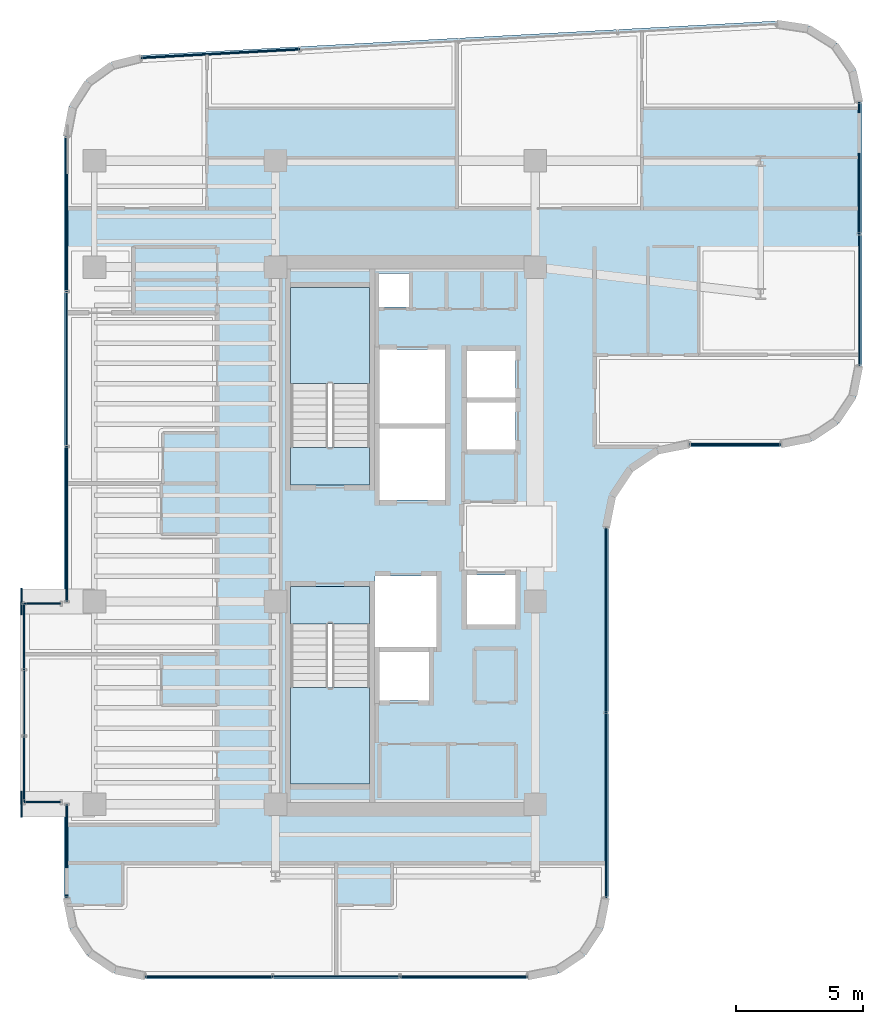
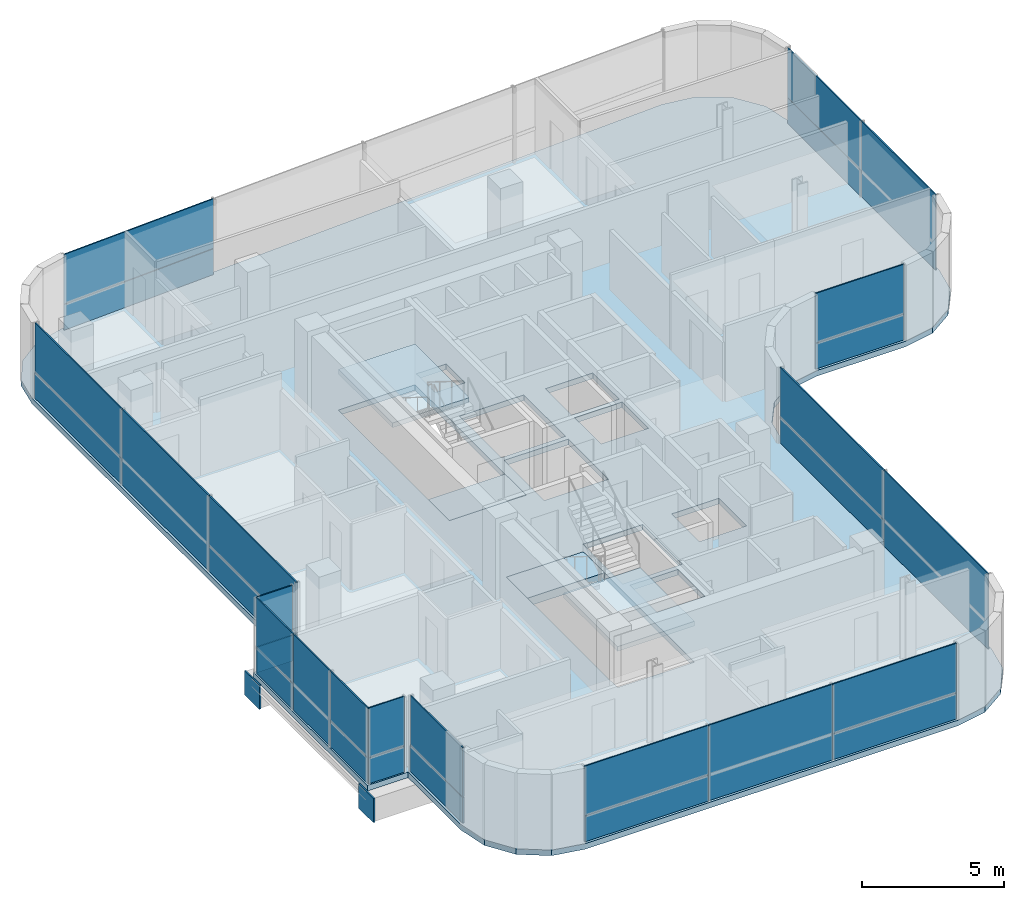
# One storey, part 17 of 24: 33 plates, 5 slabs, 12 elements without a shape of their own.
"""IFC4 building model written with IfcOpenShell, lengths in metres."""

import ifcopenshell
import ifcopenshell.guid

model = None  # the IFC model being written
_history = None  # IfcOwnerHistory: only IFC2X3 demands one
_inside = {}  # id of a spatial element -> (the spatial element, [elements in it])
_under = {}  # id of a project, library or spatial element -> (it, [spatial elements below it])
_declared = {}  # id of a project -> (the project, [libraries it declares])
_typed = {}  # id of a type object -> (the type object, [elements of that type])
_made_of = {}  # id of a material, layer set ... -> (it, [elements and type objects made of it])


def new_model(schema):
    """Start an empty IFC model of exactly this schema.

    Asked for "IFC4X3", IfcOpenShell would pick the latest addendum, in which some entities
    have other attributes; the version numbers below select the first issue.
    IFC2X3 requires an IfcOwnerHistory on every rooted entity: one is made here for all.
    """
    global model, _history
    if schema == "IFC4X3":
        model = ifcopenshell.file(schema_version=(4, 3, 0, 0))
    else:
        model = ifcopenshell.file(schema=schema)
    _inside.clear()
    _under.clear()
    _declared.clear()
    _typed.clear()
    _made_of.clear()
    _history = None
    if model.schema == "IFC2X3":
        org = make("IfcOrganization", Name="unknown")
        user = make(
            "IfcPersonAndOrganization",
            ThePerson=make("IfcPerson", FamilyName="unknown"),
            TheOrganization=org,
        )
        app = make(
            "IfcApplication",
            ApplicationDeveloper=org,
            Version="unknown",
            ApplicationFullName="unknown",
            ApplicationIdentifier="unknown",
        )
        _history = make(
            "IfcOwnerHistory",
            OwningUser=user,
            OwningApplication=app,
            ChangeAction="ADDED",
            CreationDate=0,
        )
    return model


def make(cls, **values):
    """One entity of the class cls with the attributes given. An attribute that is None is left unset."""
    return model.create_entity(
        cls, **{name: value for name, value in values.items() if value is not None}
    )


def rooted(cls, **values):
    """An entity with a GlobalId (a new one), such as an element, a storey or a relation."""
    return make(cls, GlobalId=ifcopenshell.guid.new(), OwnerHistory=_history, **values)


def si_unit(unit_type, name, prefix=None):
    """IfcSIUnit, for example si_unit("LENGTHUNIT", "METRE", prefix="MILLI")."""
    return make("IfcSIUnit", UnitType=unit_type, Prefix=prefix, Name=name)


def assignment(units):
    """IfcUnitAssignment: the units of a project."""
    return None if units is None else make("IfcUnitAssignment", Units=units)


def point(xyz):
    """IfcCartesianPoint."""
    return None if xyz is None else make("IfcCartesianPoint", Coordinates=xyz)


def direction(xyz):
    """IfcDirection."""
    return None if xyz is None else make("IfcDirection", DirectionRatios=xyz)


def frame(location, z_axis=None, x_axis=None):
    """IfcAxis2Placement3D, a coordinate frame: its origin and axes. An axis left out is left unset."""
    return make(
        "IfcAxis2Placement3D",
        Location=point(location),
        Axis=direction(z_axis),
        RefDirection=direction(x_axis),
    )


def frame_2d(location, x_axis=None):
    """IfcAxis2Placement2D, a coordinate frame in the plane: its origin and x axis."""
    return make(
        "IfcAxis2Placement2D", Location=point(location), RefDirection=direction(x_axis)
    )


def origin():
    """The frame at (0, 0, 0) with its axes left unset."""
    return frame((0.0, 0.0, 0.0))


def origin_2d():
    """The frame at (0, 0) in the plane with its x axis left unset."""
    return frame_2d((0.0, 0.0))


def place(relative_to, where):
    """IfcLocalPlacement: puts the frame where relative to a parent placement (None: the world)."""
    return make(
        "IfcLocalPlacement", PlacementRelTo=relative_to, RelativePlacement=where
    )


def context(
    kind, dimensions, precision=None, world=None, true_north=None, identifier=None
):
    """IfcGeometricRepresentationContext, for example the 3D "Model" context."""
    return make(
        "IfcGeometricRepresentationContext",
        ContextIdentifier=identifier,
        ContextType=kind,
        CoordinateSpaceDimension=dimensions,
        Precision=precision,
        WorldCoordinateSystem=world,
        TrueNorth=true_north,
    )


def subcontext(parent, identifier, kind, view, scale=None):
    """IfcGeometricRepresentationSubContext, for example "Body" below "Model"."""
    return make(
        "IfcGeometricRepresentationSubContext",
        ContextIdentifier=identifier,
        ContextType=kind,
        ParentContext=parent,
        TargetScale=scale,
        TargetView=view,
    )


def project(units=None, contexts=None):
    """IfcProject with its units and contexts."""
    return rooted(
        "IfcProject",
        Name="project",
        RepresentationContexts=contexts,
        UnitsInContext=assignment(units),
    )


def spatial(cls, under=None, at=None, **own):
    """A site, building, storey or space (cls), placed at a placement, below another one or the project."""
    s = rooted(cls, ObjectPlacement=at, **own)
    if under is not None:
        _under.setdefault(under.id(), (under, []))[1].append(s)
    return s


def polyline(points):
    """IfcPolyline through the points."""
    return make("IfcPolyline", Points=[point(p) for p in points])


def profile(cls, at=None, kind="AREA", **sizes):
    """A parametric profile (cls). Its sizes go by their IFC names, for example OverallWidth=200.0."""
    return make(cls, ProfileType=kind, Position=at, **sizes)


def rectangle(**sizes):
    """IfcRectangleProfileDef."""
    return profile("IfcRectangleProfileDef", **sizes)


def outline(outer, holes=None, kind="AREA"):
    """IfcArbitraryClosedProfileDef: a profile drawn as a closed curve; with holes, ...WithVoids."""
    if holes is None:
        return make("IfcArbitraryClosedProfileDef", ProfileType=kind, OuterCurve=outer)
    return make(
        "IfcArbitraryProfileDefWithVoids",
        ProfileType=kind,
        OuterCurve=outer,
        InnerCurves=holes,
    )


def extrude(swept, where, along, depth):
    """IfcExtrudedAreaSolid: the profile swept, set in the frame where, extruded along a direction by depth."""
    return make(
        "IfcExtrudedAreaSolid",
        SweptArea=swept,
        Position=where,
        ExtrudedDirection=direction(along),
        Depth=depth,
    )


def shape(context_of_items, identifier, shape_type, items):
    """IfcShapeRepresentation: the items that make up one representation, for example the "Body"."""
    return make(
        "IfcShapeRepresentation",
        ContextOfItems=context_of_items,
        RepresentationIdentifier=identifier,
        RepresentationType=shape_type,
        Items=items,
    )


def source(mapping_origin, context_of_items, identifier, shape_type, items):
    """IfcRepresentationMap: a shape defined once, which mapped items show again and again."""
    return make(
        "IfcRepresentationMap",
        MappingOrigin=mapping_origin,
        MappedRepresentation=shape(context_of_items, identifier, shape_type, items),
    )


def transform(
    local_origin,
    x_axis=None,
    y_axis=None,
    z_axis=None,
    scale=None,
    scale2=None,
    scale3=None,
    uniform=True,
):
    """IfcCartesianTransformationOperator3D, or its non-uniform kind. x_axis, y_axis, z_axis: its Axis1, 2, 3."""
    if uniform:
        return make(
            "IfcCartesianTransformationOperator3D",
            Axis1=direction(x_axis),
            Axis2=direction(y_axis),
            LocalOrigin=point(local_origin),
            Scale=scale,
            Axis3=direction(z_axis),
        )
    return make(
        "IfcCartesianTransformationOperator3DnonUniform",
        Axis1=direction(x_axis),
        Axis2=direction(y_axis),
        LocalOrigin=point(local_origin),
        Scale=scale,
        Axis3=direction(z_axis),
        Scale2=scale2,
        Scale3=scale3,
    )


def mapped(mapping_source, mapping_target):
    """IfcMappedItem: shows the shape of a source again, moved by a transform."""
    return make(
        "IfcMappedItem", MappingSource=mapping_source, MappingTarget=mapping_target
    )


def material(Name=None, Category=None):
    """IfcMaterial."""
    return make("IfcMaterial", Name=Name, Category=Category)


def layer(
    of_material, thickness, ventilated=None, Name=None, Category=None, Priority=None
):
    """IfcMaterialLayer: one layer of a wall or slab, of a material (None: an air gap)."""
    return make(
        "IfcMaterialLayer",
        Material=of_material,
        LayerThickness=thickness,
        IsVentilated=ventilated,
        Name=Name,
        Category=Category,
        Priority=Priority,
    )


def layer_set(layers, Name=None):
    """IfcMaterialLayerSet."""
    return make("IfcMaterialLayerSet", MaterialLayers=layers, LayerSetName=Name)


def made_of(thing, what):
    """Note that an element or type object is made of a material, layer set ...; save() writes the relation."""
    if what is not None:
        _made_of.setdefault(what.id(), (what, []))[1].append(thing)
    return thing


def type_object(cls, material=None, **own):
    """A type object (cls), such as IfcWallType, which elements share."""
    return made_of(rooted(cls, **own), material)


def element(
    cls,
    number,
    at=None,
    inside=None,
    cuts=None,
    type_object=None,
    material=None,
    context=None,
    identifier="Body",
    shape_type=None,
    held_by="IfcProductDefinitionShape",
    body=None,
    shapes=None,
    **own,
):
    """One element of the class cls, such as IfcWall. Its Tag is "e" and its number.

    at: its placement. inside: the storey or other place that contains it. cuts: it is an
    opening in that element (IfcRelVoidsElement). A single representation is given by context,
    identifier, shape_type and body (its items); several are given by shapes. held_by: the class
    of the entity that holds the representations. save() writes the other relations.
    """
    e = rooted(cls, Tag="e%d" % number, ObjectPlacement=at, **own)
    if body is not None:
        shapes = [shape(context, identifier, shape_type, body)]
    if shapes is not None:
        e.Representation = make(held_by, Representations=shapes)
    if inside is not None:
        _inside.setdefault(inside.id(), (inside, []))[1].append(e)
    if cuts is not None:
        rooted(
            "IfcRelVoidsElement", RelatingBuildingElement=cuts, RelatedOpeningElement=e
        )
    if type_object is not None:
        _typed.setdefault(type_object.id(), (type_object, []))[1].append(e)
    return made_of(e, material)


def aggregate(whole, parts):
    """IfcRelAggregates: a whole, such as a stair, and the parts it consists of."""
    return rooted("IfcRelAggregates", RelatingObject=whole, RelatedObjects=parts)


def save(model, path):
    """Write the relations noted so far, then the file.

    IfcRelAggregates (storeys below a building ...), IfcRelContainedInSpatialStructure (elements
    in a storey), IfcRelDefinesByType, IfcRelAssociatesMaterial and IfcRelDeclares: one each for
    every whole, place, type object, material and project.
    """
    for whole, parts in _under.values():
        aggregate(whole, parts)
    for where, things in _inside.values():
        rooted(
            "IfcRelContainedInSpatialStructure",
            RelatedElements=things,
            RelatingStructure=where,
        )
    for kind, things in _typed.values():
        rooted("IfcRelDefinesByType", RelatedObjects=things, RelatingType=kind)
    for what, things in _made_of.values():
        rooted("IfcRelAssociatesMaterial", RelatedObjects=things, RelatingMaterial=what)
    for by, libraries in _declared.values():
        rooted("IfcRelDeclares", RelatingContext=by, RelatedDefinitions=libraries)
    model.write(path)


model = new_model("IFC4")

# Units and contexts
model_context = context("Model", 3, precision=1e-05, world=origin(), true_north=direction((0.0, 1.0)))
body_context = subcontext(model_context, "Body", "Model", "MODEL_VIEW")
ifc_project = project(units=[si_unit("LENGTHUNIT", "METRE"), si_unit("AREAUNIT", "SQUARE_METRE"), si_unit("VOLUMEUNIT", "CUBIC_METRE"), si_unit("PLANEANGLEUNIT", "RADIAN"), si_unit("MASSUNIT", "GRAM", prefix="KILO")], contexts=[model_context])

# Site, building, storey
site_placement = place(None, origin())
site = spatial("IfcSite", under=ifc_project, at=site_placement, CompositionType="ELEMENT")
building_placement = place(site_placement, origin())
building = spatial("IfcBuilding", under=site, at=building_placement, Name="Valdorenza Pilgrim Sanctuary Tower", CompositionType="ELEMENT")
storey_placement = place(building_placement, frame((0.0, 0.0, 230.0)))
storey = spatial("IfcBuildingStorey", under=building, at=storey_placement, Name="L59", CompositionType="ELEMENT", Elevation=230.0)

# Slab
ifc_material_1 = material(Name="Concrete C40/50", Category="concrete")
ifc_layer_1 = layer(ifc_material_1, 0.239990234375, Name="Concrete C40/50")
ifc_layer_set_1 = layer_set([ifc_layer_1], Name="Concrete C40/50")
slab_type_1 = type_object("IfcSlabType", Name="SLAB-FLR-220", PredefinedType="FLOOR", material=ifc_layer_set_1)
slab_1_placement = place(storey_placement, frame((0.0, 0.0, -0.239990234375)))
element("IfcSlab", 1, at=slab_1_placement, inside=storey, type_object=slab_type_1, Name="L59 Structural Floor Slab 1", PredefinedType="FLOOR", context=body_context, shape_type="SweptSolid", body=[
    extrude(outline(polyline([(-32.64990234375, -2.60009765625), (-31.0, -2.60009765625), (-31.0, 15.76806640625), (-30.772705078125, 16.95263671875), (-30.122802734375, 17.968994140625), (-29.14306640625, 18.672607421875), (-27.972412109375, 18.96337890625), (-2.872314453125, 20.318115234375), (-1.595947265625, 20.126220703125), (-0.4990234375, 19.445556640625), (0.239501953125, 18.386962890625), (0.5, 17.12255859375), (0.5, 6.699951171875), (0.25634765625, 5.475341796875), (-0.437255859375, 4.437255859375), (-1.475341796875, 3.74365234375), (-2.699951171875, 3.5), (-6.300048828125, 3.5), (-7.524658203125, 3.25634765625), (-8.562744140625, 2.562744140625), (-9.25634765625, 1.524658203125), (-9.5, 0.300048828125), (-9.5, -14.300048828125), (-9.74365234375, -15.524658203125), (-10.437255859375, -16.562744140625), (-11.475341796875, -17.25634765625), (-12.699951171875, -17.5), (-27.800048828125, -17.5), (-29.024658203125, -17.25634765625), (-30.062744140625, -16.562744140625), (-30.75634765625, -15.524658203125), (-31.0, -14.300048828125), (-31.0, -10.60009765625), (-32.64990234375, -10.60009765625), (-32.64990234375, -2.60009765625)]), holes=[polyline([(-22.050048828125, -9.800048828125), (-18.93994140625, -9.800048828125), (-18.93994140625, -3.485107421875), (-18.93994140625, -2.0), (-22.050048828125, -2.0), (-22.050048828125, -3.485107421875), (-22.050048828125, -9.800048828125)]), polyline([(-16.60009765625, -6.5), (-16.60009765625, -4.60009765625), (-18.550048828125, -4.60009765625), (-18.550048828125, -6.5), (-16.60009765625, -6.5)]), polyline([(-22.050048828125, 2.0), (-18.93994140625, 2.0), (-18.93994140625, 3.485107421875), (-18.93994140625, 9.800048828125), (-22.050048828125, 9.800048828125), (-22.050048828125, 3.485107421875), (-22.050048828125, 2.0)]), polyline([(-17.360107421875, 9.030029296875), (-17.360107421875, 10.35009765625), (-18.570068359375, 10.35009765625), (-18.570068359375, 9.030029296875), (-17.360107421875, 9.030029296875)]), polyline([(-16.300048828125, -1.60009765625), (-18.719970703125, -1.60009765625), (-18.719970703125, -4.39990234375), (-16.300048828125, -4.39990234375), (-16.300048828125, -1.60009765625)]), polyline([(-13.179931640625, -3.5), (-13.179931640625, -1.550048828125), (-15.10009765625, -1.550048828125), (-15.10009765625, -3.5), (-13.179931640625, -3.5)]), polyline([(-15.949951171875, 1.39990234375), (-15.949951171875, 4.22509765625), (-18.550048828125, 4.22509765625), (-18.550048828125, 1.39990234375), (-15.949951171875, 1.39990234375)]), polyline([(-13.179931640625, 5.25), (-15.10009765625, 5.25), (-15.10009765625, 3.39990234375), (-13.179931640625, 3.39990234375), (-13.179931640625, 5.25)]), polyline([(-15.949951171875, 4.425048828125), (-15.949951171875, 7.35009765625), (-18.550048828125, 7.35009765625), (-18.550048828125, 4.425048828125), (-15.949951171875, 4.425048828125)]), polyline([(-13.179931640625, 5.449951171875), (-13.179931640625, 7.300048828125), (-15.10009765625, 7.300048828125), (-15.10009765625, 5.449951171875), (-13.179931640625, 5.449951171875)])]), origin(), (0.0, 0.0, 1.0), 0.239990234375),
])

# Stair, slab
stair_type = type_object("IfcStairType", Name="STR-DOG-CORE", PredefinedType="HALF_TURN_STAIR", material=ifc_material_1)
stair_1_placement = place(storey_placement, origin())
stair_1 = element("IfcStair", 2, at=stair_1_placement, inside=storey, type_object=stair_type, Name="L59 ST-A1", PredefinedType="HALF_TURN_STAIR")
ifc_layer_2 = layer(ifc_material_1, 0.199951171875, Name="Concrete C40/50")
ifc_layer_set_2 = layer_set([ifc_layer_2], Name="Concrete C40/50")
slab_type_2 = type_object("IfcSlabType", Name="SLAB-STL-200", PredefinedType="LANDING", material=ifc_layer_set_2)
slab_2_placement = place(storey_placement, frame((0.0, 0.0, 1.550048828125)))
slab_2 = element("IfcSlab", 3, at=slab_2_placement, type_object=slab_type_2, Name="ST-A1 landing 1", PredefinedType="LANDING", context=body_context, shape_type="SweptSolid", body=[
    extrude(outline(polyline([(-18.93994140625, 6.0), (-18.93994140625, 9.800048828125), (-22.050048828125, 9.800048828125), (-22.050048828125, 6.0), (-18.93994140625, 6.0)])), origin(), (0.0, 0.0, 1.0), 0.199951171875),
])
aggregate(stair_1, [slab_2])

stair_2_placement = place(storey_placement, origin())
stair_2 = element("IfcStair", 4, at=stair_2_placement, inside=storey, type_object=stair_type, Name="L59 ST-A2", PredefinedType="HALF_TURN_STAIR")
slab_3_placement = place(storey_placement, frame((0.0, 0.0, 1.550048828125)))
slab_3 = element("IfcSlab", 5, at=slab_3_placement, type_object=slab_type_2, Name="ST-A2 landing 1", PredefinedType="LANDING", context=body_context, shape_type="SweptSolid", body=[
    extrude(outline(polyline([(-22.050048828125, -6.0), (-22.050048828125, -9.800048828125), (-18.93994140625, -9.800048828125), (-18.93994140625, -6.0), (-22.050048828125, -6.0)])), origin(), (0.0, 0.0, 1.0), 0.199951171875),
])
aggregate(stair_2, [slab_3])

# Slabs
ifc_material_2 = material(Name="Concrete C50/60", Category="concrete")
ifc_layer_3 = layer(ifc_material_2, 0.39990234375, Name="Concrete C50/60")
ifc_layer_set_3 = layer_set([ifc_layer_3], Name="Concrete C50/60")
slab_type_3 = type_object("IfcSlabType", Name="SLAB-TRF-400", PredefinedType="FLOOR", material=ifc_layer_set_3)
slab_4_placement = place(storey_placement, frame((0.0, 0.0, -0.360107421875)))
element("IfcSlab", 6, at=slab_4_placement, inside=storey, type_object=slab_type_3, Name="L59 ST-A1 Structural Stair Landing Bearing Slab", PredefinedType="FLOOR", context=body_context, shape_type="SweptSolid", body=[
    extrude(outline(polyline([(-22.050048828125, 2.0), (-18.93994140625, 2.0), (-18.93994140625, 3.485107421875), (-22.050048828125, 3.485107421875), (-22.050048828125, 2.0)])), origin(), (0.0, 0.0, 1.0), 0.360107421875),
])
slab_5_placement = place(storey_placement, frame((0.0, 0.0, -0.360107421875)))
element("IfcSlab", 7, at=slab_5_placement, inside=storey, type_object=slab_type_3, Name="L59 ST-A2 Structural Stair Landing Bearing Slab", PredefinedType="FLOOR", context=body_context, shape_type="SweptSolid", body=[
    extrude(outline(polyline([(-22.050048828125, -3.485107421875), (-18.93994140625, -3.485107421875), (-18.93994140625, -2.0), (-22.050048828125, -2.0), (-22.050048828125, -3.485107421875)])), origin(), (0.0, 0.0, 1.0), 0.360107421875),
])

# Plates
ifc_material_3 = material(Name="Steel ASTM A572 Grade 42", Category="steel")
ifc_layer_4 = layer(ifc_material_3, 0.06005859375, Name="Steel ASTM A572 Grade 42")
ifc_layer_set_4 = layer_set([ifc_layer_4], Name="Steel ASTM A572 Grade 42")
plate_type_1 = type_object("IfcPlateType", Name="PLT-CAP-60", PredefinedType="SHEET", material=ifc_layer_set_4)
shared_shape_1 = source(origin(), body_context, "Body", "SweptSolid", [
    extrude(rectangle(XDim=0.06005859375, YDim=1.0400390625, at=origin_2d()), origin(), (0.0, 0.0, 1.0), 1.0400390625),
])
for number, where, z_axis, x_axis, name in (
    (8, (-32.679931640625, -2.60009765625, -1.260009765625), (0.0, 0.0, 1.0), (1.0, 0.0, 0.0), "L59 BOX-WA-L59 Cantilever Tip End Cap N"),
    (9, (-32.679931640625, -10.60009765625, -1.260009765625), (0.0, 0.0, 1.0), (1.0, 0.0, 0.0), "L59 BOX-WA-L59 Cantilever Tip End Cap S"),
):
    element("IfcPlate", number, at=place(storey_placement, frame(where, z_axis=z_axis, x_axis=x_axis)), inside=storey, type_object=plate_type_1, Name=name, PredefinedType="SHEET", context=body_context, shape_type="MappedRepresentation", body=[
        mapped(shared_shape_1, transform((0.0, 0.0, 0.0), x_axis=(1.0, 0.0, 0.0), y_axis=(0.0, 1.0, 0.0), z_axis=(0.0, 0.0, 1.0), scale=1.0)),
    ])

# Curtain wall, plate
ifc_material_4 = material(Name="Curtain-wall IGU glazing", Category="glass")
curtain_wall_type = type_object("IfcCurtainWallType", Name="CW-SYS-02", PredefinedType="NOTDEFINED", material=ifc_material_4)
curtain_wall_1_placement = place(storey_placement, origin())
curtain_wall_1 = element("IfcCurtainWall", 10, at=curtain_wall_1_placement, inside=storey, type_object=curtain_wall_type, Name="L59 Curtain Wall CW-L59-BOX-WA-L59-S", PredefinedType="NOTDEFINED")
ifc_material_5 = material(Name="Honed travertine limestone", Category="masonry")
ifc_layer_5 = layer(ifc_material_5, 0.050048828125, Name="Honed travertine limestone")
ifc_layer_set_5 = layer_set([ifc_layer_5], Name="Honed travertine limestone")
plate_type_2 = type_object("IfcPlateType", Name="CW-SPN-TRV", PredefinedType="USERDEFINED", material=ifc_layer_set_5)
shared_shape_2 = source(origin(), body_context, "Body", "SweptSolid", [
    extrude(rectangle(XDim=1.43994140625, YDim=0.06005859375, at=origin_2d()), origin(), (0.0, 0.0, 1.0), 1.10009765625),
])
plate_1_placement = place(storey_placement, frame((-31.840087890625, -10.52001953125, 0.010009765625), z_axis=(0.0, 0.0, 1.0), x_axis=(-1.0, 0.0, 0.0)))
plate_1 = element("IfcPlate", 11, at=plate_1_placement, type_object=plate_type_2, Name="CW-L59-BOX-WA-L59-S Travertine Spandrel 1", ObjectType="SPANDREL", PredefinedType="USERDEFINED", context=body_context, shape_type="MappedRepresentation", body=[
    mapped(shared_shape_2, transform((0.0, 0.0, 0.0), x_axis=(1.0, 0.0, 0.0), y_axis=(0.0, 1.0, 0.0), z_axis=(0.0, 0.0, 1.0), scale=1.0)),
])

curtain_wall_2_placement = place(storey_placement, origin())
curtain_wall_2 = element("IfcCurtainWall", 12, at=curtain_wall_2_placement, inside=storey, type_object=curtain_wall_type, Name="L59 Curtain Wall CW-L59-BOX-WA-L59-N", PredefinedType="NOTDEFINED")
plate_2_placement = place(storey_placement, frame((-31.840087890625, -2.679931640625, 0.010009765625), z_axis=(0.0, 0.0, 1.0), x_axis=(1.0, 0.0, 0.0)))
plate_2 = element("IfcPlate", 13, at=plate_2_placement, type_object=plate_type_2, Name="CW-L59-BOX-WA-L59-N Travertine Spandrel 1", ObjectType="SPANDREL", PredefinedType="USERDEFINED", context=body_context, shape_type="MappedRepresentation", body=[
    mapped(shared_shape_2, transform((0.0, 0.0, 0.0), x_axis=(1.0, 0.0, 0.0), y_axis=(0.0, 1.0, 0.0), z_axis=(0.0, 0.0, 1.0), scale=1.0)),
])

# Curtain wall, plates
curtain_wall_3_placement = place(storey_placement, origin())
curtain_wall_3 = element("IfcCurtainWall", 14, at=curtain_wall_3_placement, inside=storey, type_object=curtain_wall_type, Name="L59 Curtain Wall CW-L59-BOX-WA-L59-F", PredefinedType="NOTDEFINED")
shared_shape_3 = source(origin(), body_context, "Body", "SweptSolid", [
    extrude(rectangle(XDim=2.59326171875, YDim=0.06005859375, at=origin_2d()), origin(), (0.0, 0.0, 1.0), 1.10009765625),
])
plate_3_placement = place(storey_placement, frame((-32.570068359375, -9.21337890625, 0.010009765625), z_axis=(0.0, 0.0, 1.0), x_axis=(0.0, 1.0, 0.0)))
plate_3 = element("IfcPlate", 15, at=plate_3_placement, type_object=plate_type_2, Name="CW-L59-BOX-WA-L59-F Travertine Spandrel 1", ObjectType="SPANDREL", PredefinedType="USERDEFINED", context=body_context, shape_type="MappedRepresentation", body=[
    mapped(shared_shape_3, transform((0.0, 0.0, 0.0), x_axis=(1.0, 0.0, 0.0), y_axis=(0.0, 1.0, 0.0), z_axis=(0.0, 0.0, 1.0), scale=1.0)),
])
plate_4_placement = place(storey_placement, frame((-32.570068359375, -3.98681640625, 0.010009765625), z_axis=(0.0, 0.0, 1.0), x_axis=(0.0, 1.0, 0.0)))
plate_4 = element("IfcPlate", 16, at=plate_4_placement, type_object=plate_type_2, Name="CW-L59-BOX-WA-L59-F Travertine Spandrel 3", ObjectType="SPANDREL", PredefinedType="USERDEFINED", context=body_context, shape_type="MappedRepresentation", body=[
    mapped(shared_shape_3, transform((0.0, 0.0, 0.0), x_axis=(1.0, 0.0, 0.0), y_axis=(0.0, 1.0, 0.0), z_axis=(0.0, 0.0, 1.0), scale=1.0)),
])

curtain_wall_4_placement = place(storey_placement, origin())
curtain_wall_4 = element("IfcCurtainWall", 17, at=curtain_wall_4_placement, inside=storey, type_object=curtain_wall_type, Name="L59 Curtain Wall CW-L59-1-26", PredefinedType="NOTDEFINED")
shared_shape_4 = source(origin(), body_context, "Body", "SweptSolid", [
    extrude(rectangle(XDim=5.006103515625, YDim=0.06005859375, at=origin_2d()), origin(), (0.0, 0.0, 1.0), 1.10009765625),
])
plate_5_placement = place(storey_placement, frame((-15.223876953125, -17.389892578125, 0.010009765625), z_axis=(0.0, 0.0, 1.0), x_axis=(-1.0, 0.0, 0.0)))
plate_5 = element("IfcPlate", 18, at=plate_5_placement, type_object=plate_type_2, Name="CW-L59-1-26 Travertine Spandrel 1", ObjectType="SPANDREL", PredefinedType="USERDEFINED", context=body_context, shape_type="MappedRepresentation", body=[
    mapped(shared_shape_4, transform((0.0, 0.0, 0.0), x_axis=(1.0, 0.0, 0.0), y_axis=(0.0, 1.0, 0.0), z_axis=(0.0, 0.0, 1.0), scale=1.0)),
])
plate_6_placement = place(storey_placement, frame((-25.276123046875, -17.389892578125, 0.010009765625), z_axis=(0.0, 0.0, 1.0), x_axis=(-1.0, 0.0, 0.0)))
plate_6 = element("IfcPlate", 19, at=plate_6_placement, type_object=plate_type_2, Name="CW-L59-1-26 Travertine Spandrel 3", ObjectType="SPANDREL", PredefinedType="USERDEFINED", context=body_context, shape_type="MappedRepresentation", body=[
    mapped(shared_shape_4, transform((0.0, 0.0, 0.0), x_axis=(1.0, 0.0, 0.0), y_axis=(0.0, 1.0, 0.0), z_axis=(0.0, 0.0, 1.0), scale=1.0)),
])

# Curtain wall, plate
curtain_wall_5_placement = place(storey_placement, origin())
curtain_wall_5 = element("IfcCurtainWall", 20, at=curtain_wall_5_placement, inside=storey, type_object=curtain_wall_type, Name="L59 Curtain Wall CW-L59-1-1S1", PredefinedType="NOTDEFINED")
shared_shape_5 = source(origin(), body_context, "Body", "SweptSolid", [
    extrude(rectangle(XDim=3.669189453125, YDim=0.06005859375, at=origin_2d()), origin(), (0.0, 0.0, 1.0), 1.10009765625),
])
plate_7_placement = place(storey_placement, frame((-30.889892578125, -12.444580078125, 0.010009765625), z_axis=(0.0, 0.0, 1.0), x_axis=(0.0, 1.0, 0.0)))
plate_7 = element("IfcPlate", 21, at=plate_7_placement, type_object=plate_type_2, Name="CW-L59-1-1S1 Travertine Spandrel 1", ObjectType="SPANDREL", PredefinedType="USERDEFINED", context=body_context, shape_type="MappedRepresentation", body=[
    mapped(shared_shape_5, transform((0.0, 0.0, 0.0), x_axis=(1.0, 0.0, 0.0), y_axis=(0.0, 1.0, 0.0), z_axis=(0.0, 0.0, 1.0), scale=1.0)),
])

curtain_wall_6_placement = place(storey_placement, origin())
curtain_wall_6 = element("IfcCurtainWall", 22, at=curtain_wall_6_placement, inside=storey, type_object=curtain_wall_type, Name="L59 Curtain Wall CW-L59-1-6", PredefinedType="NOTDEFINED")
shared_shape_6 = source(origin(), body_context, "Body", "SweptSolid", [
    extrude(rectangle(XDim=6.2587890625, YDim=0.06005859375, at=origin_2d()), origin(), (0.0, 0.0, 1.0), 1.10009765625),
])
plate_8_placement = place(storey_placement, frame((-24.8212890625, 19.023193359375, 0.010009765625), z_axis=(0.0, 0.0, 1.0), x_axis=(0.998547034311, 0.053887106711, 0.0)))
plate_8 = element("IfcPlate", 23, at=plate_8_placement, type_object=plate_type_2, Name="CW-L59-1-6 Travertine Spandrel 1", ObjectType="SPANDREL", PredefinedType="USERDEFINED", context=body_context, shape_type="MappedRepresentation", body=[
    mapped(shared_shape_6, transform((0.0, 0.0, 0.0), x_axis=(1.0, 0.0, 0.0), y_axis=(0.0, 1.0, 0.0), z_axis=(0.0, 0.0, 1.0), scale=1.0)),
])

curtain_wall_7_placement = place(storey_placement, origin())
curtain_wall_7 = element("IfcCurtainWall", 24, at=curtain_wall_7_placement, inside=storey, type_object=curtain_wall_type, Name="L59 Curtain Wall CW-L59-1-16", PredefinedType="NOTDEFINED")
shared_shape_7 = source(origin(), body_context, "Body", "SweptSolid", [
    extrude(rectangle(XDim=3.580078125, YDim=0.06005859375, at=origin_2d()), origin(), (0.0, 0.0, 1.0), 1.10009765625),
])
plate_9_placement = place(storey_placement, frame((-4.5107421875, 3.610107421875, 0.010009765625), z_axis=(0.0, 0.0, 1.0), x_axis=(-1.0, 0.0, 0.0)))
plate_9 = element("IfcPlate", 25, at=plate_9_placement, type_object=plate_type_2, Name="CW-L59-1-16 Travertine Spandrel 1", ObjectType="SPANDREL", PredefinedType="USERDEFINED", context=body_context, shape_type="MappedRepresentation", body=[
    mapped(shared_shape_7, transform((0.0, 0.0, 0.0), x_axis=(1.0, 0.0, 0.0), y_axis=(0.0, 1.0, 0.0), z_axis=(0.0, 0.0, 1.0), scale=1.0)),
])

curtain_wall_8_placement = place(storey_placement, origin())
curtain_wall_8 = element("IfcCurtainWall", 26, at=curtain_wall_8_placement, inside=storey, type_object=curtain_wall_type, Name="L59 Curtain Wall CW-L59-1-21", PredefinedType="NOTDEFINED")
shared_shape_8 = source(origin(), body_context, "Body", "SweptSolid", [
    extrude(rectangle(XDim=7.280029296875, YDim=0.06005859375, at=origin_2d()), origin(), (0.0, 0.0, 1.0), 1.10009765625),
])
plate_10_placement = place(storey_placement, frame((-9.610107421875, -3.339111328125, 0.010009765625), z_axis=(0.0, 0.0, 1.0), x_axis=(0.0, -1.0, 0.0)))
plate_10 = element("IfcPlate", 27, at=plate_10_placement, type_object=plate_type_2, Name="CW-L59-1-21 Travertine Spandrel 1", ObjectType="SPANDREL", PredefinedType="USERDEFINED", context=body_context, shape_type="MappedRepresentation", body=[
    mapped(shared_shape_8, transform((0.0, 0.0, 0.0), x_axis=(1.0, 0.0, 0.0), y_axis=(0.0, 1.0, 0.0), z_axis=(0.0, 0.0, 1.0), scale=1.0)),
])

curtain_wall_9_placement = place(storey_placement, origin())
curtain_wall_9 = element("IfcCurtainWall", 28, at=curtain_wall_9_placement, inside=storey, type_object=curtain_wall_type, Name="L59 Curtain Wall CW-L59-1-11", PredefinedType="NOTDEFINED")
shared_shape_9 = source(origin(), body_context, "Body", "SweptSolid", [
    extrude(rectangle(XDim=5.180419921875, YDim=0.06005859375, at=origin_2d()), origin(), (0.0, 0.0, 1.0), 1.10009765625),
])
plate_11_placement = place(storey_placement, frame((0.389892578125, 14.51123046875, 0.010009765625), z_axis=(0.0, 0.0, 1.0), x_axis=(0.0, -1.0, 0.0)))
plate_11 = element("IfcPlate", 29, at=plate_11_placement, type_object=plate_type_2, Name="CW-L59-1-11 Travertine Spandrel 1", ObjectType="SPANDREL", PredefinedType="USERDEFINED", context=body_context, shape_type="MappedRepresentation", body=[
    mapped(shared_shape_9, transform((0.0, 0.0, 0.0), x_axis=(1.0, 0.0, 0.0), y_axis=(0.0, 1.0, 0.0), z_axis=(0.0, 0.0, 1.0), scale=1.0)),
])

# Plate
ifc_material_6 = material(Name="Ceramic-fritted low-E IGU glazing", Category="glass")
ifc_layer_6 = layer(ifc_material_6, 0.035888671875, Name="Ceramic-fritted low-E IGU glazing")
ifc_layer_set_6 = layer_set([ifc_layer_6], Name="Ceramic-fritted low-E IGU glazing")
plate_type_3 = type_object("IfcPlateType", Name="CW-GLZ-IGU", PredefinedType="USERDEFINED", material=ifc_layer_set_6)
shared_shape_10 = source(origin(), body_context, "Body", "SweptSolid", [
    extrude(rectangle(XDim=3.669189453125, YDim=0.050048828125, at=origin_2d()), origin(), (0.0, 0.0, 1.0), 2.1201171875),
])
plate_12_placement = place(storey_placement, frame((-30.889892578125, -12.444580078125, 1.1298828125), z_axis=(0.0, 0.0, 1.0), x_axis=(0.0, 1.0, 0.0)))
plate_12 = element("IfcPlate", 30, at=plate_12_placement, type_object=plate_type_3, Name="CW-L59-1-1S1 Facade Panel 1", ObjectType="GLAZING", PredefinedType="USERDEFINED", context=body_context, shape_type="MappedRepresentation", body=[
    mapped(shared_shape_10, transform((0.0, 0.0, 0.0), x_axis=(1.0, 0.0, 0.0), y_axis=(0.0, 1.0, 0.0), z_axis=(0.0, 0.0, 1.0), scale=1.0)),
])

aggregate(curtain_wall_5, [plate_7, plate_12])

# Curtain wall, plates
curtain_wall_10_placement = place(storey_placement, origin())
curtain_wall_10 = element("IfcCurtainWall", 31, at=curtain_wall_10_placement, inside=storey, type_object=curtain_wall_type, Name="L59 Curtain Wall CW-L59-1-1S2", PredefinedType="NOTDEFINED")
shared_shape_11 = source(origin(), body_context, "Body", "SweptSolid", [
    extrude(rectangle(XDim=6.09912109375, YDim=0.06005859375, at=origin_2d()), origin(), (0.0, 0.0, 1.0), 1.10009765625),
])
plate_13_placement = place(storey_placement, frame((-30.889892578125, 0.459716796875, 0.010009765625), z_axis=(0.0, 0.0, 1.0), x_axis=(0.0, 1.0, 0.0)))
plate_13 = element("IfcPlate", 32, at=plate_13_placement, type_object=plate_type_2, Name="CW-L59-1-1S2 Travertine Spandrel 1", ObjectType="SPANDREL", PredefinedType="USERDEFINED", context=body_context, shape_type="MappedRepresentation", body=[
    mapped(shared_shape_11, transform((0.0, 0.0, 0.0), x_axis=(1.0, 0.0, 0.0), y_axis=(0.0, 1.0, 0.0), z_axis=(0.0, 0.0, 1.0), scale=1.0)),
])
plate_14_placement = place(storey_placement, frame((-30.889892578125, 12.697998046875, 0.010009765625), z_axis=(0.0, 0.0, 1.0), x_axis=(0.0, 1.0, 0.0)))
plate_14 = element("IfcPlate", 33, at=plate_14_placement, type_object=plate_type_2, Name="CW-L59-1-1S2 Travertine Spandrel 3", ObjectType="SPANDREL", PredefinedType="USERDEFINED", context=body_context, shape_type="MappedRepresentation", body=[
    mapped(shared_shape_11, transform((0.0, 0.0, 0.0), x_axis=(1.0, 0.0, 0.0), y_axis=(0.0, 1.0, 0.0), z_axis=(0.0, 0.0, 1.0), scale=1.0)),
])
shared_shape_12 = source(origin(), body_context, "Body", "SweptSolid", [
    extrude(rectangle(XDim=6.09912109375, YDim=0.050048828125, at=origin_2d()), origin(), (0.0, 0.0, 1.0), 2.1201171875),
])
plate_15_placement = place(storey_placement, frame((-30.889892578125, 0.459716796875, 1.1298828125), z_axis=(0.0, 0.0, 1.0), x_axis=(0.0, 1.0, 0.0)))
plate_15 = element("IfcPlate", 34, at=plate_15_placement, type_object=plate_type_3, Name="CW-L59-1-1S2 Facade Panel 1", ObjectType="GLAZING", PredefinedType="USERDEFINED", context=body_context, shape_type="MappedRepresentation", body=[
    mapped(shared_shape_12, transform((0.0, 0.0, 0.0), x_axis=(1.0, 0.0, 0.0), y_axis=(0.0, 1.0, 0.0), z_axis=(0.0, 0.0, 1.0), scale=1.0)),
])
plate_16_placement = place(storey_placement, frame((-30.889892578125, 12.697998046875, 1.1298828125), z_axis=(0.0, 0.0, 1.0), x_axis=(0.0, 1.0, 0.0)))
plate_16 = element("IfcPlate", 35, at=plate_16_placement, type_object=plate_type_3, Name="CW-L59-1-1S2 Facade Panel 3", ObjectType="GLAZING", PredefinedType="USERDEFINED", context=body_context, shape_type="MappedRepresentation", body=[
    mapped(shared_shape_12, transform((0.0, 0.0, 0.0), x_axis=(1.0, 0.0, 0.0), y_axis=(0.0, 1.0, 0.0), z_axis=(0.0, 0.0, 1.0), scale=1.0)),
])
shared_shape_13 = source(origin(), body_context, "Body", "SweptSolid", [
    extrude(rectangle(XDim=6.09912109375, YDim=0.050048828125, at=origin_2d()), origin(), (0.0, 0.0, 1.0), 3.239990234375),
])
plate_17_placement = place(storey_placement, frame((-30.889892578125, 6.578857421875, 0.009765625), z_axis=(0.0, 0.0, 1.0), x_axis=(0.0, 1.0, 0.0)))
plate_17 = element("IfcPlate", 36, at=plate_17_placement, type_object=plate_type_3, Name="CW-L59-1-1S2 Full-Height Facade Panel 2", ObjectType="GLAZING", PredefinedType="USERDEFINED", context=body_context, shape_type="MappedRepresentation", body=[
    mapped(shared_shape_13, transform((0.0, 0.0, 0.0), x_axis=(1.0, 0.0, 0.0), y_axis=(0.0, 1.0, 0.0), z_axis=(0.0, 0.0, 1.0), scale=1.0)),
])
aggregate(curtain_wall_10, [plate_13, plate_15, plate_17, plate_14, plate_16])

# Plate
shared_shape_14 = source(origin(), body_context, "Body", "SweptSolid", [
    extrude(rectangle(XDim=6.2587890625, YDim=0.050048828125, at=origin_2d()), origin(), (0.0, 0.0, 1.0), 2.1201171875),
])
plate_18_placement = place(storey_placement, frame((-24.8212890625, 19.023193359375, 1.1298828125), z_axis=(0.0, 0.0, 1.0), x_axis=(0.998547034311, 0.053887106711, 0.0)))
plate_18 = element("IfcPlate", 37, at=plate_18_placement, type_object=plate_type_3, Name="CW-L59-1-6 Facade Panel 1", ObjectType="GLAZING", PredefinedType="USERDEFINED", context=body_context, shape_type="MappedRepresentation", body=[
    mapped(shared_shape_14, transform((0.0, 0.0, 0.0), x_axis=(1.0, 0.0, 0.0), y_axis=(0.0, 1.0, 0.0), z_axis=(0.0, 0.0, 1.0), scale=1.0)),
])

aggregate(curtain_wall_6, [plate_8, plate_18])

shared_shape_15 = source(origin(), body_context, "Body", "SweptSolid", [
    extrude(rectangle(XDim=5.180419921875, YDim=0.050048828125, at=origin_2d()), origin(), (0.0, 0.0, 1.0), 2.1201171875),
])
plate_19_placement = place(storey_placement, frame((0.389892578125, 14.51123046875, 1.1298828125), z_axis=(0.0, 0.0, 1.0), x_axis=(0.0, -1.0, 0.0)))
plate_19 = element("IfcPlate", 38, at=plate_19_placement, type_object=plate_type_3, Name="CW-L59-1-11 Facade Panel 1", ObjectType="GLAZING", PredefinedType="USERDEFINED", context=body_context, shape_type="MappedRepresentation", body=[
    mapped(shared_shape_15, transform((0.0, 0.0, 0.0), x_axis=(1.0, 0.0, 0.0), y_axis=(0.0, 1.0, 0.0), z_axis=(0.0, 0.0, 1.0), scale=1.0)),
])

shared_shape_16 = source(origin(), body_context, "Body", "SweptSolid", [
    extrude(rectangle(XDim=5.180419921875, YDim=0.050048828125, at=origin_2d()), origin(), (0.0, 0.0, 1.0), 3.239990234375),
])
plate_20_placement = place(storey_placement, frame((0.389892578125, 9.310791015625, 0.009765625), z_axis=(0.0, 0.0, 1.0), x_axis=(0.0, -1.0, 0.0)))
plate_20 = element("IfcPlate", 39, at=plate_20_placement, type_object=plate_type_3, Name="CW-L59-1-11 Full-Height Facade Panel 2", ObjectType="GLAZING", PredefinedType="USERDEFINED", context=body_context, shape_type="MappedRepresentation", body=[
    mapped(shared_shape_16, transform((0.0, 0.0, 0.0), x_axis=(1.0, 0.0, 0.0), y_axis=(0.0, 1.0, 0.0), z_axis=(0.0, 0.0, 1.0), scale=1.0)),
])

aggregate(curtain_wall_9, [plate_11, plate_19, plate_20])

shared_shape_17 = source(origin(), body_context, "Body", "SweptSolid", [
    extrude(rectangle(XDim=3.580078125, YDim=0.050048828125, at=origin_2d()), origin(), (0.0, 0.0, 1.0), 2.1201171875),
])
plate_21_placement = place(storey_placement, frame((-4.5107421875, 3.610107421875, 1.1298828125), z_axis=(0.0, 0.0, 1.0), x_axis=(-1.0, 0.0, 0.0)))
plate_21 = element("IfcPlate", 40, at=plate_21_placement, type_object=plate_type_3, Name="CW-L59-1-16 Facade Panel 1", ObjectType="GLAZING", PredefinedType="USERDEFINED", context=body_context, shape_type="MappedRepresentation", body=[
    mapped(shared_shape_17, transform((0.0, 0.0, 0.0), x_axis=(1.0, 0.0, 0.0), y_axis=(0.0, 1.0, 0.0), z_axis=(0.0, 0.0, 1.0), scale=1.0)),
])

aggregate(curtain_wall_7, [plate_9, plate_21])

shared_shape_18 = source(origin(), body_context, "Body", "SweptSolid", [
    extrude(rectangle(XDim=7.280029296875, YDim=0.050048828125, at=origin_2d()), origin(), (0.0, 0.0, 1.0), 2.1201171875),
])
plate_22_placement = place(storey_placement, frame((-9.610107421875, -3.339111328125, 1.1298828125), z_axis=(0.0, 0.0, 1.0), x_axis=(0.0, -1.0, 0.0)))
plate_22 = element("IfcPlate", 41, at=plate_22_placement, type_object=plate_type_3, Name="CW-L59-1-21 Facade Panel 1", ObjectType="GLAZING", PredefinedType="USERDEFINED", context=body_context, shape_type="MappedRepresentation", body=[
    mapped(shared_shape_18, transform((0.0, 0.0, 0.0), x_axis=(1.0, 0.0, 0.0), y_axis=(0.0, 1.0, 0.0), z_axis=(0.0, 0.0, 1.0), scale=1.0)),
])

shared_shape_19 = source(origin(), body_context, "Body", "SweptSolid", [
    extrude(rectangle(XDim=7.280029296875, YDim=0.050048828125, at=origin_2d()), origin(), (0.0, 0.0, 1.0), 3.239990234375),
])
plate_23_placement = place(storey_placement, frame((-9.610107421875, -10.63916015625, 0.009765625), z_axis=(0.0, 0.0, 1.0), x_axis=(0.0, -1.0, 0.0)))
plate_23 = element("IfcPlate", 42, at=plate_23_placement, type_object=plate_type_3, Name="CW-L59-1-21 Full-Height Facade Panel 2", ObjectType="GLAZING", PredefinedType="USERDEFINED", context=body_context, shape_type="MappedRepresentation", body=[
    mapped(shared_shape_19, transform((0.0, 0.0, 0.0), x_axis=(1.0, 0.0, 0.0), y_axis=(0.0, 1.0, 0.0), z_axis=(0.0, 0.0, 1.0), scale=1.0)),
])

aggregate(curtain_wall_8, [plate_10, plate_22, plate_23])

shared_shape_20 = source(origin(), body_context, "Body", "SweptSolid", [
    extrude(rectangle(XDim=5.006103515625, YDim=0.050048828125, at=origin_2d()), origin(), (0.0, 0.0, 1.0), 2.1201171875),
])
plate_24_placement = place(storey_placement, frame((-15.223876953125, -17.389892578125, 1.1298828125), z_axis=(0.0, 0.0, 1.0), x_axis=(-1.0, 0.0, 0.0)))
plate_24 = element("IfcPlate", 43, at=plate_24_placement, type_object=plate_type_3, Name="CW-L59-1-26 Facade Panel 1", ObjectType="GLAZING", PredefinedType="USERDEFINED", context=body_context, shape_type="MappedRepresentation", body=[
    mapped(shared_shape_20, transform((0.0, 0.0, 0.0), x_axis=(1.0, 0.0, 0.0), y_axis=(0.0, 1.0, 0.0), z_axis=(0.0, 0.0, 1.0), scale=1.0)),
])

plate_25_placement = place(storey_placement, frame((-25.276123046875, -17.389892578125, 1.1298828125), z_axis=(0.0, 0.0, 1.0), x_axis=(-1.0, 0.0, 0.0)))
plate_25 = element("IfcPlate", 44, at=plate_25_placement, type_object=plate_type_3, Name="CW-L59-1-26 Facade Panel 3", ObjectType="GLAZING", PredefinedType="USERDEFINED", context=body_context, shape_type="MappedRepresentation", body=[
    mapped(shared_shape_20, transform((0.0, 0.0, 0.0), x_axis=(1.0, 0.0, 0.0), y_axis=(0.0, 1.0, 0.0), z_axis=(0.0, 0.0, 1.0), scale=1.0)),
])

shared_shape_21 = source(origin(), body_context, "Body", "SweptSolid", [
    extrude(rectangle(XDim=5.006103515625, YDim=0.050048828125, at=origin_2d()), origin(), (0.0, 0.0, 1.0), 3.239990234375),
])
plate_26_placement = place(storey_placement, frame((-20.25, -17.389892578125, 0.009765625), z_axis=(0.0, 0.0, 1.0), x_axis=(-1.0, 0.0, 0.0)))
plate_26 = element("IfcPlate", 45, at=plate_26_placement, type_object=plate_type_3, Name="CW-L59-1-26 Full-Height Facade Panel 2", ObjectType="GLAZING", PredefinedType="USERDEFINED", context=body_context, shape_type="MappedRepresentation", body=[
    mapped(shared_shape_21, transform((0.0, 0.0, 0.0), x_axis=(1.0, 0.0, 0.0), y_axis=(0.0, 1.0, 0.0), z_axis=(0.0, 0.0, 1.0), scale=1.0)),
])

aggregate(curtain_wall_4, [plate_5, plate_24, plate_26, plate_6, plate_25])

shared_shape_22 = source(origin(), body_context, "Body", "SweptSolid", [
    extrude(rectangle(XDim=1.43994140625, YDim=0.050048828125, at=origin_2d()), origin(), (0.0, 0.0, 1.0), 2.1201171875),
])
plate_27_placement = place(storey_placement, frame((-31.840087890625, -10.52001953125, 1.1298828125), z_axis=(0.0, 0.0, 1.0), x_axis=(-1.0, 0.0, 0.0)))
plate_27 = element("IfcPlate", 46, at=plate_27_placement, type_object=plate_type_3, Name="CW-L59-BOX-WA-L59-S Facade Panel 1", ObjectType="GLAZING", PredefinedType="USERDEFINED", context=body_context, shape_type="MappedRepresentation", body=[
    mapped(shared_shape_22, transform((0.0, 0.0, 0.0), x_axis=(1.0, 0.0, 0.0), y_axis=(0.0, 1.0, 0.0), z_axis=(0.0, 0.0, 1.0), scale=1.0)),
])

aggregate(curtain_wall_1, [plate_1, plate_27])

plate_28_placement = place(storey_placement, frame((-31.840087890625, -2.679931640625, 1.1298828125), z_axis=(0.0, 0.0, 1.0), x_axis=(1.0, 0.0, 0.0)))
plate_28 = element("IfcPlate", 47, at=plate_28_placement, type_object=plate_type_3, Name="CW-L59-BOX-WA-L59-N Facade Panel 1", ObjectType="GLAZING", PredefinedType="USERDEFINED", context=body_context, shape_type="MappedRepresentation", body=[
    mapped(shared_shape_22, transform((0.0, 0.0, 0.0), x_axis=(1.0, 0.0, 0.0), y_axis=(0.0, 1.0, 0.0), z_axis=(0.0, 0.0, 1.0), scale=1.0)),
])

aggregate(curtain_wall_2, [plate_2, plate_28])

shared_shape_23 = source(origin(), body_context, "Body", "SweptSolid", [
    extrude(rectangle(XDim=2.59326171875, YDim=0.050048828125, at=origin_2d()), origin(), (0.0, 0.0, 1.0), 2.1201171875),
])
plate_29_placement = place(storey_placement, frame((-32.570068359375, -9.21337890625, 1.1298828125), z_axis=(0.0, 0.0, 1.0), x_axis=(0.0, 1.0, 0.0)))
plate_29 = element("IfcPlate", 48, at=plate_29_placement, type_object=plate_type_3, Name="CW-L59-BOX-WA-L59-F Facade Panel 1", ObjectType="GLAZING", PredefinedType="USERDEFINED", context=body_context, shape_type="MappedRepresentation", body=[
    mapped(shared_shape_23, transform((0.0, 0.0, 0.0), x_axis=(1.0, 0.0, 0.0), y_axis=(0.0, 1.0, 0.0), z_axis=(0.0, 0.0, 1.0), scale=1.0)),
])

plate_30_placement = place(storey_placement, frame((-32.570068359375, -3.98681640625, 1.1298828125), z_axis=(0.0, 0.0, 1.0), x_axis=(0.0, 1.0, 0.0)))
plate_30 = element("IfcPlate", 49, at=plate_30_placement, type_object=plate_type_3, Name="CW-L59-BOX-WA-L59-F Facade Panel 3", ObjectType="GLAZING", PredefinedType="USERDEFINED", context=body_context, shape_type="MappedRepresentation", body=[
    mapped(shared_shape_23, transform((0.0, 0.0, 0.0), x_axis=(1.0, 0.0, 0.0), y_axis=(0.0, 1.0, 0.0), z_axis=(0.0, 0.0, 1.0), scale=1.0)),
])

shared_shape_24 = source(origin(), body_context, "Body", "SweptSolid", [
    extrude(rectangle(XDim=2.59326171875, YDim=0.050048828125, at=origin_2d()), origin(), (0.0, 0.0, 1.0), 3.239990234375),
])
plate_31_placement = place(storey_placement, frame((-32.570068359375, -6.60009765625, 0.009765625), z_axis=(0.0, 0.0, 1.0), x_axis=(0.0, 1.0, 0.0)))
plate_31 = element("IfcPlate", 50, at=plate_31_placement, type_object=plate_type_3, Name="CW-L59-BOX-WA-L59-F Full-Height Facade Panel 2", ObjectType="GLAZING", PredefinedType="USERDEFINED", context=body_context, shape_type="MappedRepresentation", body=[
    mapped(shared_shape_24, transform((0.0, 0.0, 0.0), x_axis=(1.0, 0.0, 0.0), y_axis=(0.0, 1.0, 0.0), z_axis=(0.0, 0.0, 1.0), scale=1.0)),
])

aggregate(curtain_wall_3, [plate_3, plate_29, plate_31, plate_4, plate_30])

save(model, "model.ifc")
